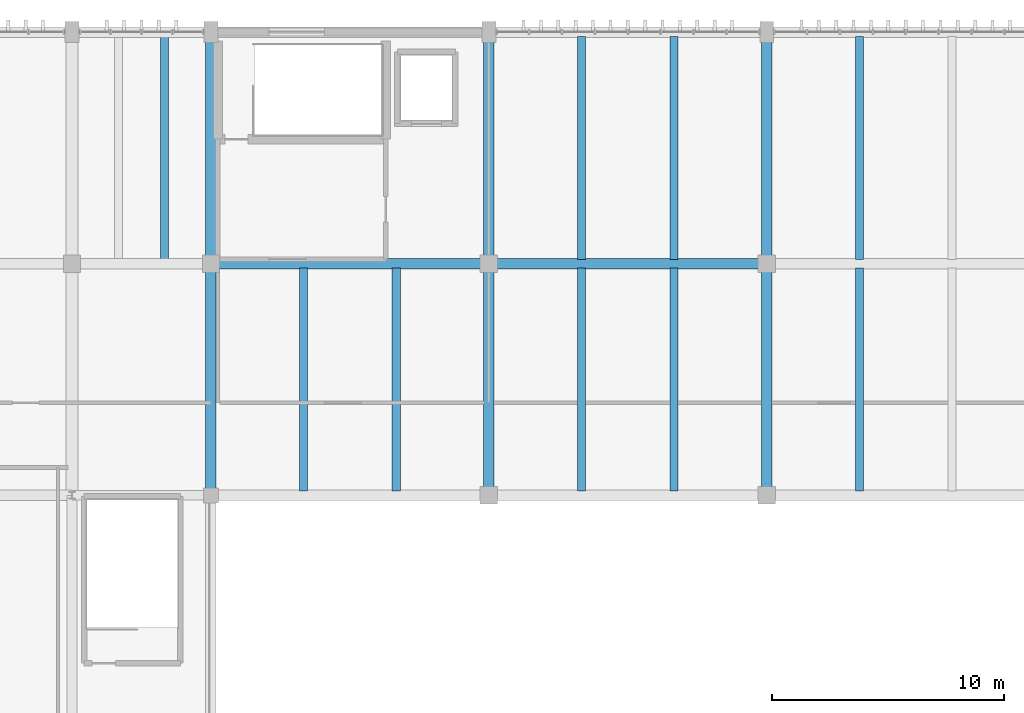
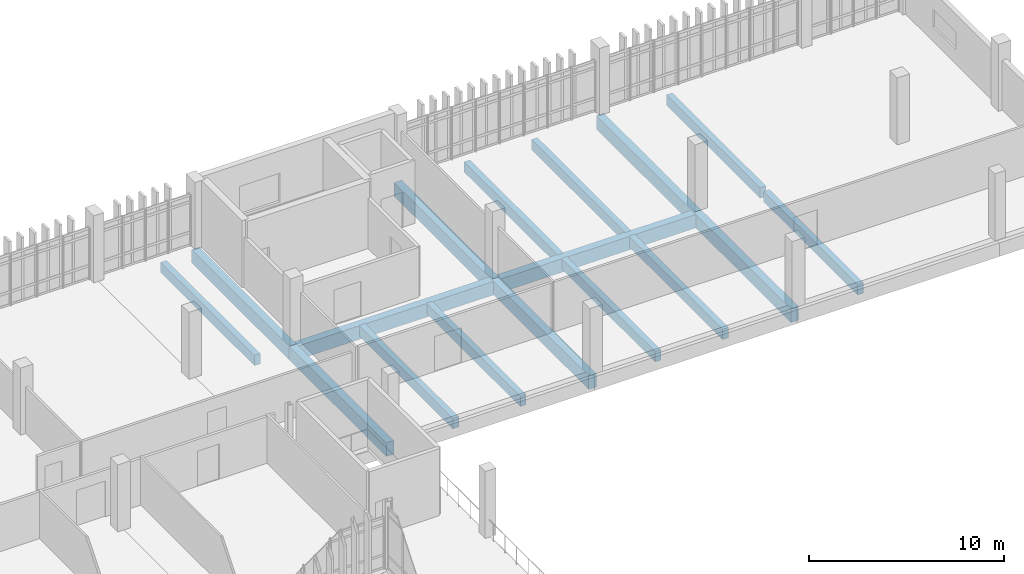
# One storey, part 116 of 161: 17 beams.
"""IFC4 building model written with IfcOpenShell, lengths in metres."""

import ifcopenshell
import ifcopenshell.guid

model = None  # the IFC model being written
_history = None  # IfcOwnerHistory: only IFC2X3 demands one
_inside = {}  # id of a spatial element -> (the spatial element, [elements in it])
_under = {}  # id of a project, library or spatial element -> (it, [spatial elements below it])
_declared = {}  # id of a project -> (the project, [libraries it declares])
_typed = {}  # id of a type object -> (the type object, [elements of that type])
_made_of = {}  # id of a material, layer set ... -> (it, [elements and type objects made of it])


def new_model(schema):
    """Start an empty IFC model of exactly this schema.

    Asked for "IFC4X3", IfcOpenShell would pick the latest addendum, in which some entities
    have other attributes; the version numbers below select the first issue.
    IFC2X3 requires an IfcOwnerHistory on every rooted entity: one is made here for all.
    """
    global model, _history
    if schema == "IFC4X3":
        model = ifcopenshell.file(schema_version=(4, 3, 0, 0))
    else:
        model = ifcopenshell.file(schema=schema)
    _inside.clear()
    _under.clear()
    _declared.clear()
    _typed.clear()
    _made_of.clear()
    _history = None
    if model.schema == "IFC2X3":
        org = make("IfcOrganization", Name="unknown")
        user = make(
            "IfcPersonAndOrganization",
            ThePerson=make("IfcPerson", FamilyName="unknown"),
            TheOrganization=org,
        )
        app = make(
            "IfcApplication",
            ApplicationDeveloper=org,
            Version="unknown",
            ApplicationFullName="unknown",
            ApplicationIdentifier="unknown",
        )
        _history = make(
            "IfcOwnerHistory",
            OwningUser=user,
            OwningApplication=app,
            ChangeAction="ADDED",
            CreationDate=0,
        )
    return model


def make(cls, **values):
    """One entity of the class cls with the attributes given. An attribute that is None is left unset."""
    return model.create_entity(
        cls, **{name: value for name, value in values.items() if value is not None}
    )


def rooted(cls, **values):
    """An entity with a GlobalId (a new one), such as an element, a storey or a relation."""
    return make(cls, GlobalId=ifcopenshell.guid.new(), OwnerHistory=_history, **values)


def si_unit(unit_type, name, prefix=None):
    """IfcSIUnit, for example si_unit("LENGTHUNIT", "METRE", prefix="MILLI")."""
    return make("IfcSIUnit", UnitType=unit_type, Prefix=prefix, Name=name)


def assignment(units):
    """IfcUnitAssignment: the units of a project."""
    return None if units is None else make("IfcUnitAssignment", Units=units)


def point(xyz):
    """IfcCartesianPoint."""
    return None if xyz is None else make("IfcCartesianPoint", Coordinates=xyz)


def direction(xyz):
    """IfcDirection."""
    return None if xyz is None else make("IfcDirection", DirectionRatios=xyz)


def frame(location, z_axis=None, x_axis=None):
    """IfcAxis2Placement3D, a coordinate frame: its origin and axes. An axis left out is left unset."""
    return make(
        "IfcAxis2Placement3D",
        Location=point(location),
        Axis=direction(z_axis),
        RefDirection=direction(x_axis),
    )


def frame_2d(location, x_axis=None):
    """IfcAxis2Placement2D, a coordinate frame in the plane: its origin and x axis."""
    return make(
        "IfcAxis2Placement2D", Location=point(location), RefDirection=direction(x_axis)
    )


def origin():
    """The frame at (0, 0, 0) with its axes left unset."""
    return frame((0.0, 0.0, 0.0))


def origin_2d():
    """The frame at (0, 0) in the plane with its x axis left unset."""
    return frame_2d((0.0, 0.0))


def place(relative_to, where):
    """IfcLocalPlacement: puts the frame where relative to a parent placement (None: the world)."""
    return make(
        "IfcLocalPlacement", PlacementRelTo=relative_to, RelativePlacement=where
    )


def context(
    kind, dimensions, precision=None, world=None, true_north=None, identifier=None
):
    """IfcGeometricRepresentationContext, for example the 3D "Model" context."""
    return make(
        "IfcGeometricRepresentationContext",
        ContextIdentifier=identifier,
        ContextType=kind,
        CoordinateSpaceDimension=dimensions,
        Precision=precision,
        WorldCoordinateSystem=world,
        TrueNorth=true_north,
    )


def subcontext(parent, identifier, kind, view, scale=None):
    """IfcGeometricRepresentationSubContext, for example "Body" below "Model"."""
    return make(
        "IfcGeometricRepresentationSubContext",
        ContextIdentifier=identifier,
        ContextType=kind,
        ParentContext=parent,
        TargetScale=scale,
        TargetView=view,
    )


def project(units=None, contexts=None):
    """IfcProject with its units and contexts."""
    return rooted(
        "IfcProject",
        Name="project",
        RepresentationContexts=contexts,
        UnitsInContext=assignment(units),
    )


def spatial(cls, under=None, at=None, **own):
    """A site, building, storey or space (cls), placed at a placement, below another one or the project."""
    s = rooted(cls, ObjectPlacement=at, **own)
    if under is not None:
        _under.setdefault(under.id(), (under, []))[1].append(s)
    return s


def profile(cls, at=None, kind="AREA", **sizes):
    """A parametric profile (cls). Its sizes go by their IFC names, for example OverallWidth=200.0."""
    return make(cls, ProfileType=kind, Position=at, **sizes)


def rectangle(**sizes):
    """IfcRectangleProfileDef."""
    return profile("IfcRectangleProfileDef", **sizes)


def extrude(swept, where, along, depth):
    """IfcExtrudedAreaSolid: the profile swept, set in the frame where, extruded along a direction by depth."""
    return make(
        "IfcExtrudedAreaSolid",
        SweptArea=swept,
        Position=where,
        ExtrudedDirection=direction(along),
        Depth=depth,
    )


def shape(context_of_items, identifier, shape_type, items):
    """IfcShapeRepresentation: the items that make up one representation, for example the "Body"."""
    return make(
        "IfcShapeRepresentation",
        ContextOfItems=context_of_items,
        RepresentationIdentifier=identifier,
        RepresentationType=shape_type,
        Items=items,
    )


def material(Name=None, Category=None):
    """IfcMaterial."""
    return make("IfcMaterial", Name=Name, Category=Category)


def material_profile(
    of_material, cross_section, Name=None, Category=None, Priority=None
):
    """IfcMaterialProfile: a cross section and its material."""
    return make(
        "IfcMaterialProfile",
        Name=Name,
        Material=of_material,
        Profile=cross_section,
        Priority=Priority,
        Category=Category,
    )


def profile_set(profiles, Name=None, composite=None):
    """IfcMaterialProfileSet."""
    return make(
        "IfcMaterialProfileSet",
        Name=Name,
        MaterialProfiles=profiles,
        CompositeProfile=composite,
    )


def made_of(thing, what):
    """Note that an element or type object is made of a material, layer set ...; save() writes the relation."""
    if what is not None:
        _made_of.setdefault(what.id(), (what, []))[1].append(thing)
    return thing


def type_object(cls, material=None, **own):
    """A type object (cls), such as IfcWallType, which elements share."""
    return made_of(rooted(cls, **own), material)


def element(
    cls,
    number,
    at=None,
    inside=None,
    cuts=None,
    type_object=None,
    material=None,
    context=None,
    identifier="Body",
    shape_type=None,
    held_by="IfcProductDefinitionShape",
    body=None,
    shapes=None,
    **own,
):
    """One element of the class cls, such as IfcWall. Its Tag is "e" and its number.

    at: its placement. inside: the storey or other place that contains it. cuts: it is an
    opening in that element (IfcRelVoidsElement). A single representation is given by context,
    identifier, shape_type and body (its items); several are given by shapes. held_by: the class
    of the entity that holds the representations. save() writes the other relations.
    """
    e = rooted(cls, Tag="e%d" % number, ObjectPlacement=at, **own)
    if body is not None:
        shapes = [shape(context, identifier, shape_type, body)]
    if shapes is not None:
        e.Representation = make(held_by, Representations=shapes)
    if inside is not None:
        _inside.setdefault(inside.id(), (inside, []))[1].append(e)
    if cuts is not None:
        rooted(
            "IfcRelVoidsElement", RelatingBuildingElement=cuts, RelatedOpeningElement=e
        )
    if type_object is not None:
        _typed.setdefault(type_object.id(), (type_object, []))[1].append(e)
    return made_of(e, material)


def aggregate(whole, parts):
    """IfcRelAggregates: a whole, such as a stair, and the parts it consists of."""
    return rooted("IfcRelAggregates", RelatingObject=whole, RelatedObjects=parts)


def save(model, path):
    """Write the relations noted so far, then the file.

    IfcRelAggregates (storeys below a building ...), IfcRelContainedInSpatialStructure (elements
    in a storey), IfcRelDefinesByType, IfcRelAssociatesMaterial and IfcRelDeclares: one each for
    every whole, place, type object, material and project.
    """
    for whole, parts in _under.values():
        aggregate(whole, parts)
    for where, things in _inside.values():
        rooted(
            "IfcRelContainedInSpatialStructure",
            RelatedElements=things,
            RelatingStructure=where,
        )
    for kind, things in _typed.values():
        rooted("IfcRelDefinesByType", RelatedObjects=things, RelatingType=kind)
    for what, things in _made_of.values():
        rooted("IfcRelAssociatesMaterial", RelatedObjects=things, RelatingMaterial=what)
    for by, libraries in _declared.values():
        rooted("IfcRelDeclares", RelatingContext=by, RelatedDefinitions=libraries)
    model.write(path)


model = new_model("IFC4")

# Units and contexts
model_context = context("Model", 3, precision=1e-05, world=origin(), true_north=direction((0.0, 1.0)))
body_context = subcontext(model_context, "Body", "Model", "MODEL_VIEW")
ifc_project = project(units=[si_unit("LENGTHUNIT", "METRE"), si_unit("AREAUNIT", "SQUARE_METRE"), si_unit("VOLUMEUNIT", "CUBIC_METRE"), si_unit("PLANEANGLEUNIT", "RADIAN"), si_unit("MASSUNIT", "GRAM", prefix="KILO")], contexts=[model_context])

# Site, building, storey
site_placement = place(None, origin())
site = spatial("IfcSite", under=ifc_project, at=site_placement, CompositionType="ELEMENT")
building_placement = place(site_placement, origin())
building = spatial("IfcBuilding", under=site, at=building_placement, Name="Mersad Railyard Sports Hall", CompositionType="ELEMENT")
storey_placement = place(building_placement, frame((0.0, 0.0, 4.800048828125)))
storey = spatial("IfcBuildingStorey", under=building, at=storey_placement, Name="L01", CompositionType="ELEMENT", Elevation=4.800048828125)

# Beams
ifc_material = material(Name="Concrete C40/50", Category="concrete")
ifc_material_profile_1 = material_profile(ifc_material, rectangle(XDim=0.449951171875, YDim=0.85009765625, at=origin_2d()), Name="RC 450x850")
ifc_profile_set_1 = profile_set([ifc_material_profile_1], Name="Concrete C40/50")
beam_type_1 = type_object("IfcBeamType", Name="STR-BM-B02", PredefinedType="BEAM", material=ifc_profile_set_1)
for number, where, z_axis, x_axis, name in (
    (1, (137.0, 105.0, -0.72509765625), (1.0, 0.0, 0.0), (0.0, 1.0, 0.0), "Beam B02-0987"),
    (2, (149.0, 105.0, -0.72509765625), (1.0, 0.0, 0.0), (0.0, 1.0, 0.0), "Beam B02-0988"),
):
    element("IfcBeam", number, at=place(storey_placement, frame(where, z_axis=z_axis, x_axis=x_axis)), inside=storey, type_object=beam_type_1, Name=name, PredefinedType="BEAM", context=body_context, shape_type="SweptSolid", body=[
        extrude(rectangle(XDim=0.449951171875, YDim=0.85009765625, at=origin_2d()), origin(), (0.0, 0.0, 1.0), 12.0),
    ])
for number, where, z_axis, x_axis, name in (
    (3, (137.0, 95.0, -0.72509765625), (0.0, 1.0, 0.0), (-1.0, 0.0, 0.0), "Beam B02-0996"),
    (4, (137.0, 105.0, -0.72509765625), (0.0, 1.0, 0.0), (-1.0, 0.0, 0.0), "Beam B02-0997"),
    (5, (149.0, 95.0, -0.72509765625), (0.0, 1.0, 0.0), (-1.0, 0.0, 0.0), "Beam B02-0998"),
    (6, (149.0, 105.0, -0.72509765625), (0.0, 1.0, 0.0), (-1.0, 0.0, 0.0), "Beam B02-0999"),
    (7, (161.0, 95.0, -0.72509765625), (0.0, 1.0, 0.0), (-1.0, 0.0, 0.0), "Beam B02-1000"),
    (8, (161.0, 105.0, -0.72509765625), (0.0, 1.0, 0.0), (-1.0, 0.0, 0.0), "Beam B02-1001"),
):
    element("IfcBeam", number, at=place(storey_placement, frame(where, z_axis=z_axis, x_axis=x_axis)), inside=storey, type_object=beam_type_1, Name=name, PredefinedType="BEAM", context=body_context, shape_type="SweptSolid", body=[
        extrude(rectangle(XDim=0.449951171875, YDim=0.85009765625, at=origin_2d()), origin(), (0.0, 0.0, 1.0), 10.0),
    ])
ifc_material_profile_2 = material_profile(ifc_material, rectangle(XDim=0.35009765625, YDim=0.64990234375, at=origin_2d()), Name="RC 350x650")
ifc_profile_set_2 = profile_set([ifc_material_profile_2], Name="Concrete C40/50")
beam_type_2 = type_object("IfcBeamType", Name="STR-BM-J01", PredefinedType="JOIST", material=ifc_profile_set_2)
for number, where, z_axis, x_axis, name in (
    (9, (135.0, 105.179931640625, -0.625), (0.0, 1.0, 0.0), (-1.0, 0.0, 0.0), "Beam J01-1050"),
    (10, (141.0, 95.179931640625, -0.625), (0.0, 1.0, 0.0), (-1.0, 0.0, 0.0), "Beam J01-1051"),
    (11, (145.0, 95.179931640625, -0.625), (0.0, 1.0, 0.0), (-1.0, 0.0, 0.0), "Beam J01-1052"),
    (12, (153.0, 95.179931640625, -0.625), (0.0, 1.0, 0.0), (-1.0, 0.0, 0.0), "Beam J01-1053"),
    (13, (157.0, 95.179931640625, -0.625), (0.0, 1.0, 0.0), (-1.0, 0.0, 0.0), "Beam J01-1054"),
    (14, (153.0, 105.179931640625, -0.625), (0.0, 1.0, 0.0), (-1.0, 0.0, 0.0), "Beam J01-1055"),
    (15, (157.0, 105.179931640625, -0.625), (0.0, 1.0, 0.0), (-1.0, 0.0, 0.0), "Beam J01-1056"),
    (16, (165.0, 95.179931640625, -0.625), (0.0, 1.0, 0.0), (-1.0, 0.0, 0.0), "Beam J01-1057"),
    (17, (165.0, 105.179931640625, -0.625), (0.0, 1.0, 0.0), (-1.0, 0.0, 0.0), "Beam J01-1059"),
):
    element("IfcBeam", number, at=place(storey_placement, frame(where, z_axis=z_axis, x_axis=x_axis)), inside=storey, type_object=beam_type_2, Name=name, PredefinedType="JOIST", context=body_context, shape_type="SweptSolid", body=[
        extrude(rectangle(XDim=0.35009765625, YDim=0.64990234375, at=origin_2d()), origin(), (0.0, 0.0, 1.0), 9.64013671875),
    ])

save(model, "model.ifc")
